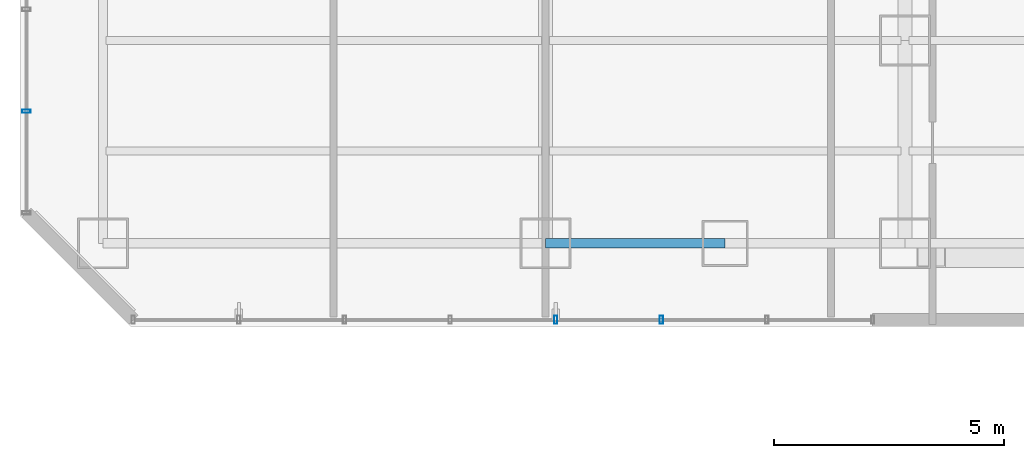
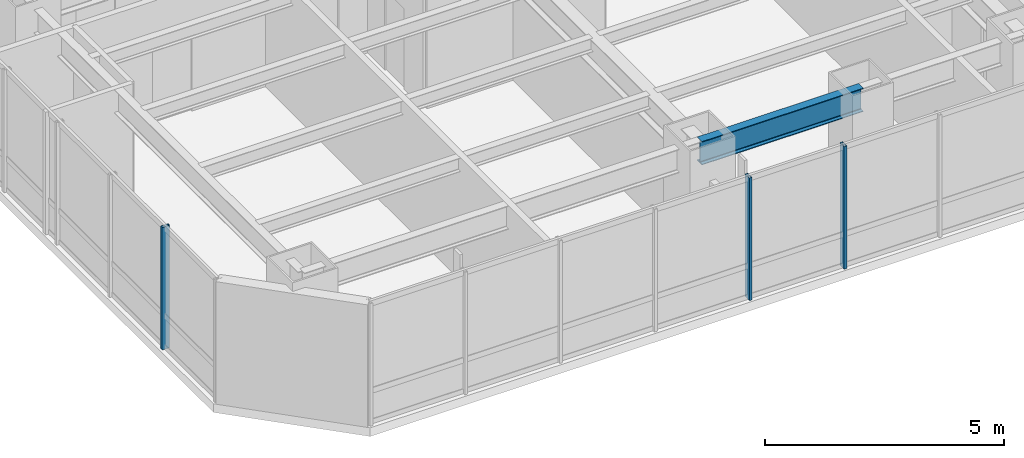
# One storey, part 4 of 32: 3 members, 1 beam, 2 elements without a shape of their own.
"""IFC4 building model written with IfcOpenShell, lengths in metres."""

import ifcopenshell
import ifcopenshell.guid

model = None  # the IFC model being written
_history = None  # IfcOwnerHistory: only IFC2X3 demands one
_inside = {}  # id of a spatial element -> (the spatial element, [elements in it])
_under = {}  # id of a project, library or spatial element -> (it, [spatial elements below it])
_declared = {}  # id of a project -> (the project, [libraries it declares])
_typed = {}  # id of a type object -> (the type object, [elements of that type])
_made_of = {}  # id of a material, layer set ... -> (it, [elements and type objects made of it])


def new_model(schema):
    """Start an empty IFC model of exactly this schema.

    Asked for "IFC4X3", IfcOpenShell would pick the latest addendum, in which some entities
    have other attributes; the version numbers below select the first issue.
    IFC2X3 requires an IfcOwnerHistory on every rooted entity: one is made here for all.
    """
    global model, _history
    if schema == "IFC4X3":
        model = ifcopenshell.file(schema_version=(4, 3, 0, 0))
    else:
        model = ifcopenshell.file(schema=schema)
    _inside.clear()
    _under.clear()
    _declared.clear()
    _typed.clear()
    _made_of.clear()
    _history = None
    if model.schema == "IFC2X3":
        org = make("IfcOrganization", Name="unknown")
        user = make(
            "IfcPersonAndOrganization",
            ThePerson=make("IfcPerson", FamilyName="unknown"),
            TheOrganization=org,
        )
        app = make(
            "IfcApplication",
            ApplicationDeveloper=org,
            Version="unknown",
            ApplicationFullName="unknown",
            ApplicationIdentifier="unknown",
        )
        _history = make(
            "IfcOwnerHistory",
            OwningUser=user,
            OwningApplication=app,
            ChangeAction="ADDED",
            CreationDate=0,
        )
    return model


def make(cls, **values):
    """One entity of the class cls with the attributes given. An attribute that is None is left unset."""
    return model.create_entity(
        cls, **{name: value for name, value in values.items() if value is not None}
    )


def rooted(cls, **values):
    """An entity with a GlobalId (a new one), such as an element, a storey or a relation."""
    return make(cls, GlobalId=ifcopenshell.guid.new(), OwnerHistory=_history, **values)


def si_unit(unit_type, name, prefix=None):
    """IfcSIUnit, for example si_unit("LENGTHUNIT", "METRE", prefix="MILLI")."""
    return make("IfcSIUnit", UnitType=unit_type, Prefix=prefix, Name=name)


def assignment(units):
    """IfcUnitAssignment: the units of a project."""
    return None if units is None else make("IfcUnitAssignment", Units=units)


def point(xyz):
    """IfcCartesianPoint."""
    return None if xyz is None else make("IfcCartesianPoint", Coordinates=xyz)


def direction(xyz):
    """IfcDirection."""
    return None if xyz is None else make("IfcDirection", DirectionRatios=xyz)


def frame(location, z_axis=None, x_axis=None):
    """IfcAxis2Placement3D, a coordinate frame: its origin and axes. An axis left out is left unset."""
    return make(
        "IfcAxis2Placement3D",
        Location=point(location),
        Axis=direction(z_axis),
        RefDirection=direction(x_axis),
    )


def frame_2d(location, x_axis=None):
    """IfcAxis2Placement2D, a coordinate frame in the plane: its origin and x axis."""
    return make(
        "IfcAxis2Placement2D", Location=point(location), RefDirection=direction(x_axis)
    )


def origin():
    """The frame at (0, 0, 0) with its axes left unset."""
    return frame((0.0, 0.0, 0.0))


def origin_2d():
    """The frame at (0, 0) in the plane with its x axis left unset."""
    return frame_2d((0.0, 0.0))


def place(relative_to, where):
    """IfcLocalPlacement: puts the frame where relative to a parent placement (None: the world)."""
    return make(
        "IfcLocalPlacement", PlacementRelTo=relative_to, RelativePlacement=where
    )


def context(
    kind, dimensions, precision=None, world=None, true_north=None, identifier=None
):
    """IfcGeometricRepresentationContext, for example the 3D "Model" context."""
    return make(
        "IfcGeometricRepresentationContext",
        ContextIdentifier=identifier,
        ContextType=kind,
        CoordinateSpaceDimension=dimensions,
        Precision=precision,
        WorldCoordinateSystem=world,
        TrueNorth=true_north,
    )


def subcontext(parent, identifier, kind, view, scale=None):
    """IfcGeometricRepresentationSubContext, for example "Body" below "Model"."""
    return make(
        "IfcGeometricRepresentationSubContext",
        ContextIdentifier=identifier,
        ContextType=kind,
        ParentContext=parent,
        TargetScale=scale,
        TargetView=view,
    )


def project(units=None, contexts=None):
    """IfcProject with its units and contexts."""
    return rooted(
        "IfcProject",
        Name="project",
        RepresentationContexts=contexts,
        UnitsInContext=assignment(units),
    )


def spatial(cls, under=None, at=None, **own):
    """A site, building, storey or space (cls), placed at a placement, below another one or the project."""
    s = rooted(cls, ObjectPlacement=at, **own)
    if under is not None:
        _under.setdefault(under.id(), (under, []))[1].append(s)
    return s


def profile(cls, at=None, kind="AREA", **sizes):
    """A parametric profile (cls). Its sizes go by their IFC names, for example OverallWidth=200.0."""
    return make(cls, ProfileType=kind, Position=at, **sizes)


def hollow_rectangle(**sizes):
    """IfcRectangleHollowProfileDef."""
    return profile("IfcRectangleHollowProfileDef", **sizes)


def i_section(**sizes):
    """IfcIShapeProfileDef."""
    return profile("IfcIShapeProfileDef", **sizes)


def extrude(swept, where, along, depth):
    """IfcExtrudedAreaSolid: the profile swept, set in the frame where, extruded along a direction by depth."""
    return make(
        "IfcExtrudedAreaSolid",
        SweptArea=swept,
        Position=where,
        ExtrudedDirection=direction(along),
        Depth=depth,
    )


def shape(context_of_items, identifier, shape_type, items):
    """IfcShapeRepresentation: the items that make up one representation, for example the "Body"."""
    return make(
        "IfcShapeRepresentation",
        ContextOfItems=context_of_items,
        RepresentationIdentifier=identifier,
        RepresentationType=shape_type,
        Items=items,
    )


def material(Name=None, Category=None):
    """IfcMaterial."""
    return make("IfcMaterial", Name=Name, Category=Category)


def layer(
    of_material, thickness, ventilated=None, Name=None, Category=None, Priority=None
):
    """IfcMaterialLayer: one layer of a wall or slab, of a material (None: an air gap)."""
    return make(
        "IfcMaterialLayer",
        Material=of_material,
        LayerThickness=thickness,
        IsVentilated=ventilated,
        Name=Name,
        Category=Category,
        Priority=Priority,
    )


def layer_set(layers, Name=None):
    """IfcMaterialLayerSet."""
    return make("IfcMaterialLayerSet", MaterialLayers=layers, LayerSetName=Name)


def material_profile(
    of_material, cross_section, Name=None, Category=None, Priority=None
):
    """IfcMaterialProfile: a cross section and its material."""
    return make(
        "IfcMaterialProfile",
        Name=Name,
        Material=of_material,
        Profile=cross_section,
        Priority=Priority,
        Category=Category,
    )


def profile_set(profiles, Name=None, composite=None):
    """IfcMaterialProfileSet."""
    return make(
        "IfcMaterialProfileSet",
        Name=Name,
        MaterialProfiles=profiles,
        CompositeProfile=composite,
    )


def made_of(thing, what):
    """Note that an element or type object is made of a material, layer set ...; save() writes the relation."""
    if what is not None:
        _made_of.setdefault(what.id(), (what, []))[1].append(thing)
    return thing


def type_object(cls, material=None, **own):
    """A type object (cls), such as IfcWallType, which elements share."""
    return made_of(rooted(cls, **own), material)


def element(
    cls,
    number,
    at=None,
    inside=None,
    cuts=None,
    type_object=None,
    material=None,
    context=None,
    identifier="Body",
    shape_type=None,
    held_by="IfcProductDefinitionShape",
    body=None,
    shapes=None,
    **own,
):
    """One element of the class cls, such as IfcWall. Its Tag is "e" and its number.

    at: its placement. inside: the storey or other place that contains it. cuts: it is an
    opening in that element (IfcRelVoidsElement). A single representation is given by context,
    identifier, shape_type and body (its items); several are given by shapes. held_by: the class
    of the entity that holds the representations. save() writes the other relations.
    """
    e = rooted(cls, Tag="e%d" % number, ObjectPlacement=at, **own)
    if body is not None:
        shapes = [shape(context, identifier, shape_type, body)]
    if shapes is not None:
        e.Representation = make(held_by, Representations=shapes)
    if inside is not None:
        _inside.setdefault(inside.id(), (inside, []))[1].append(e)
    if cuts is not None:
        rooted(
            "IfcRelVoidsElement", RelatingBuildingElement=cuts, RelatedOpeningElement=e
        )
    if type_object is not None:
        _typed.setdefault(type_object.id(), (type_object, []))[1].append(e)
    return made_of(e, material)


def aggregate(whole, parts):
    """IfcRelAggregates: a whole, such as a stair, and the parts it consists of."""
    return rooted("IfcRelAggregates", RelatingObject=whole, RelatedObjects=parts)


def save(model, path):
    """Write the relations noted so far, then the file.

    IfcRelAggregates (storeys below a building ...), IfcRelContainedInSpatialStructure (elements
    in a storey), IfcRelDefinesByType, IfcRelAssociatesMaterial and IfcRelDeclares: one each for
    every whole, place, type object, material and project.
    """
    for whole, parts in _under.values():
        aggregate(whole, parts)
    for where, things in _inside.values():
        rooted(
            "IfcRelContainedInSpatialStructure",
            RelatedElements=things,
            RelatingStructure=where,
        )
    for kind, things in _typed.values():
        rooted("IfcRelDefinesByType", RelatedObjects=things, RelatingType=kind)
    for what, things in _made_of.values():
        rooted("IfcRelAssociatesMaterial", RelatedObjects=things, RelatingMaterial=what)
    for by, libraries in _declared.values():
        rooted("IfcRelDeclares", RelatingContext=by, RelatedDefinitions=libraries)
    model.write(path)


model = new_model("IFC4")

# Units and contexts
model_context = context("Model", 3, precision=1e-05, world=origin(), true_north=direction((0.0, 1.0)))
body_context = subcontext(model_context, "Body", "Model", "MODEL_VIEW")
ifc_project = project(units=[si_unit("LENGTHUNIT", "METRE"), si_unit("AREAUNIT", "SQUARE_METRE"), si_unit("VOLUMEUNIT", "CUBIC_METRE"), si_unit("PLANEANGLEUNIT", "RADIAN"), si_unit("MASSUNIT", "GRAM", prefix="KILO")], contexts=[model_context])

# Site, building, storey
site_placement = place(None, origin())
site = spatial("IfcSite", under=ifc_project, at=site_placement, CompositionType="ELEMENT")
building_placement = place(site_placement, origin())
building = spatial("IfcBuilding", under=site, at=building_placement, Name="Hatsunagi Terrace Concourse", CompositionType="ELEMENT")
storey_placement = place(building_placement, frame((0.0, 0.0, 36.60009765625)))
storey = spatial("IfcBuildingStorey", under=building, at=storey_placement, Name="L08", CompositionType="ELEMENT", Elevation=36.60009765625)

# Curtain wall, members
ifc_material_1 = material(Name="Anodised Aluminium Alloy 6063-T5", Category="aluminium")
ifc_layer = layer(ifc_material_1, 0.199951171875)
ifc_layer_set = layer_set([ifc_layer], Name="HotelFacade_CW02")
curtain_wall_type = type_object("IfcCurtainWallType", Name="HotelFacade_CW02", PredefinedType="NOTDEFINED", material=ifc_layer_set)
curtain_wall_1_placement = place(storey_placement, origin())
curtain_wall_1 = element("IfcCurtainWall", 1, at=curtain_wall_1_placement, inside=storey, type_object=curtain_wall_type, Name="Unitised Curtain Wall CW-02 CW-L08-07", PredefinedType="NOTDEFINED")
ifc_material_2 = material(Name="Anodised Aluminium Alloy 6063-T5", Category="aluminium")
ifc_material_profile_1 = material_profile(ifc_material_2, hollow_rectangle(XDim=0.070068359375, YDim=0.179931640625, WallThickness=0.00390625, at=origin_2d()), Name="ALU-MUL-180x70x4")
ifc_profile_set_1 = profile_set([ifc_material_profile_1], Name="Anodised Aluminium Alloy 6063-T5")
member_type = type_object("IfcMemberType", Name="CurtainWallMullion_180x70", PredefinedType="MULLION", material=ifc_profile_set_1)
member_1_placement = place(storey_placement, frame((13.9169921875, 23.5400390625, 0.0), z_axis=(0.0, 0.0, 1.0), x_axis=(-1.0, 0.0, 0.0)))
member_1 = element("IfcMember", 2, at=member_1_placement, type_object=member_type, Name="Curtain Wall Mullion MUL-02", PredefinedType="MULLION", context=body_context, shape_type="SweptSolid", body=[
    extrude(hollow_rectangle(XDim=0.070068359375, YDim=0.179931640625, WallThickness=0.00390625, at=origin_2d()), origin(), (0.0, 0.0, 1.0), 3.1298828125),
])
member_2_placement = place(storey_placement, frame((11.625, 23.5400390625, 0.0), z_axis=(0.0, 0.0, 1.0), x_axis=(-1.0, 0.0, 0.0)))
member_2 = element("IfcMember", 3, at=member_2_placement, type_object=member_type, Name="Curtain Wall Mullion MUL-02", PredefinedType="MULLION", context=body_context, shape_type="SweptSolid", body=[
    extrude(hollow_rectangle(XDim=0.070068359375, YDim=0.179931640625, WallThickness=0.00390625, at=origin_2d()), origin(), (0.0, 0.0, 1.0), 3.1298828125),
])
aggregate(curtain_wall_1, [member_1, member_2])

# Curtain wall, member
curtain_wall_2_placement = place(storey_placement, origin())
curtain_wall_2 = element("IfcCurtainWall", 4, at=curtain_wall_2_placement, inside=storey, type_object=curtain_wall_type, Name="Unitised Curtain Wall CW-02 CW-L08-09", PredefinedType="NOTDEFINED")
member_3_placement = place(storey_placement, frame((0.139892578125, 28.06591796875, 0.0), z_axis=(0.0, 0.0, 1.0), x_axis=(0.0, 1.0, 0.0)))
member_3 = element("IfcMember", 5, at=member_3_placement, type_object=member_type, Name="Curtain Wall Mullion MUL-02", PredefinedType="MULLION", context=body_context, shape_type="SweptSolid", body=[
    extrude(hollow_rectangle(XDim=0.070068359375, YDim=0.179931640625, WallThickness=0.00390625, at=origin_2d()), origin(), (0.0, 0.0, 1.0), 3.1298828125),
])
aggregate(curtain_wall_2, [member_3])

# Beam
ifc_material_3 = material(Name="Steel SN490B", Category="steel")
ifc_material_profile_2 = material_profile(ifc_material_3, i_section(OverallWidth=0.199951171875, OverallDepth=0.60009765625, WebThickness=0.010986328125, FlangeThickness=0.01708984375, FilletRadius=0.01806640625, at=origin_2d()), Name="H-600x200x11x17")
ifc_profile_set_2 = profile_set([ifc_material_profile_2], Name="Steel SN490B")
beam_type = type_object("IfcBeamType", Name="PerimeterSpandrel_H_600x200", PredefinedType="SPANDREL", material=ifc_profile_set_2)
beam_placement = place(storey_placement, frame((11.39990234375, 25.199951171875, 2.829833984375), z_axis=(1.0, 0.0, 0.0), x_axis=(0.0, 1.0, 0.0)))
element("IfcBeam", 6, at=beam_placement, inside=storey, type_object=beam_type, Name="Beam SP-01 BM-L08-WS-11", PredefinedType="SPANDREL", context=body_context, shape_type="SweptSolid", body=[
    extrude(i_section(OverallWidth=0.199951171875, OverallDepth=0.60009765625, WebThickness=0.010986328125, FlangeThickness=0.01708984375, FilletRadius=0.01806640625, at=origin_2d()), origin(), (0.0, 0.0, 1.0), 3.900146484375),
])

save(model, "model.ifc")
